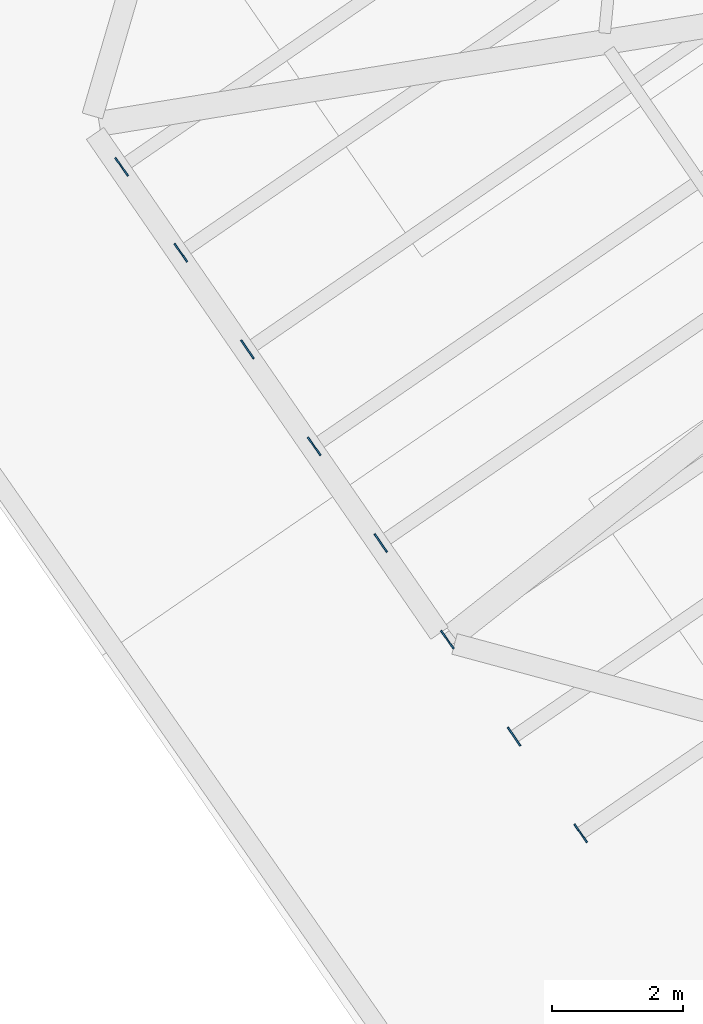
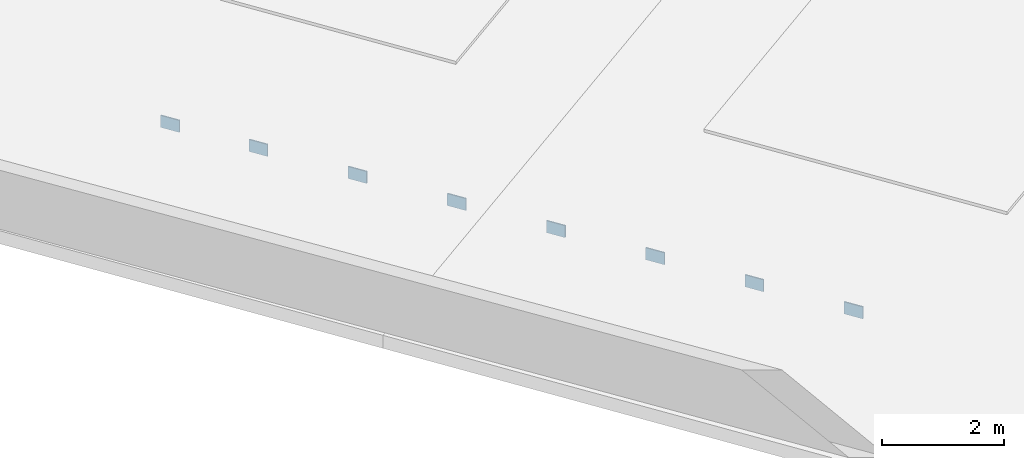
# One storey, part 4 of 7: 8 plates.
"""IFC4 building model written with IfcOpenShell, lengths in metres."""

from ifc_helpers import new_model, si_unit, direction, frame, origin, origin_2d, place, context, subcontext, project, spatial, rectangle, extrude, source, transform, mapped, material, layer, layer_set, type_object, element, save


model = new_model("IFC4")

# Units and contexts
model_context = context("Model", 3, precision=1e-05, world=origin(), true_north=direction((0.0, 1.0)))
body_context = subcontext(model_context, "Body", "Model", "MODEL_VIEW")
ifc_project = project(units=[si_unit("LENGTHUNIT", "METRE"), si_unit("AREAUNIT", "SQUARE_METRE"), si_unit("VOLUMEUNIT", "CUBIC_METRE"), si_unit("PLANEANGLEUNIT", "RADIAN"), si_unit("MASSUNIT", "GRAM", prefix="KILO")], contexts=[model_context])

# Site, building, storey
site_placement = place(None, origin())
site = spatial("IfcSite", under=ifc_project, at=site_placement, CompositionType="ELEMENT")
building_placement = place(site_placement, origin())
building = spatial("IfcBuilding", under=site, at=building_placement, Name="Varnelok Gate Tower", CompositionType="ELEMENT")
storey_placement = place(building_placement, frame((0.0, 0.0, 310.699951171875)))
storey = spatial("IfcBuildingStorey", under=building, at=storey_placement, Name="ROOF", CompositionType="ELEMENT", Elevation=310.699951171875)

# Plates
ifc_material = material(Name="Structural Steel ASTM A572 Grade 50", Category="steel")
ifc_layer = layer(ifc_material, 0.02490234375)
ifc_layer_set = layer_set([ifc_layer], Name="Structural Steel ASTM A572 Grade 50")
plate_type = type_object("IfcPlateType", Name="PLT-ENDCAP-25", PredefinedType="SHEET", material=ifc_layer_set)
shared_shape = source(origin(), body_context, "Body", "SweptSolid", [
    extrude(rectangle(XDim=0.02490234375, YDim=0.340087890625, at=origin_2d()), origin(), (0.0, 0.0, 1.0), 0.239990234375),
])
for number, where, z_axis, x_axis, name in (
    (1, (21.8251953125, 5.560546875, -0.52978515625), (0.0, 0.0, 1.0), (0.823532597628, 0.567268949127, 0.0), "ROOF hollow member sealed end plate 1"),
    (2, (20.80419921875, 7.042724609375, -0.52978515625), (0.0, 0.0, 1.0), (0.823532597628, 0.567268949127, 0.0), "ROOF hollow member sealed end plate 1"),
    (3, (19.783203125, 8.525146484375, -0.52978515625), (0.0, 0.0, 1.0), (0.823532597628, 0.567268949127, 0.0), "ROOF hollow member sealed end plate 1"),
    (4, (18.761962890625, 10.007568359375, -0.52978515625), (0.0, 0.0, 1.0), (0.823532597628, 0.567268949127, 0.0), "ROOF hollow member sealed end plate 1"),
    (5, (17.740966796875, 11.489990234375, -0.52978515625), (0.0, 0.0, 1.0), (0.823532597628, 0.567268949127, 0.0), "ROOF hollow member sealed end plate 1"),
    (6, (16.7197265625, 12.972412109375, -0.52978515625), (0.0, 0.0, 1.0), (0.823532597628, 0.567268949127, 0.0), "ROOF hollow member sealed end plate 1"),
    (7, (15.69873046875, 14.45458984375, -0.52978515625), (0.0, 0.0, 1.0), (0.823532597628, 0.567268949127, 0.0), "ROOF hollow member sealed end plate 1"),
    (8, (14.791015625, 15.772216796875, -0.52978515625), (0.0, 0.0, 1.0), (0.823532597628, 0.567268949127, 0.0), "ROOF hollow member sealed end plate 1"),
):
    element("IfcPlate", number, at=place(storey_placement, frame(where, z_axis=z_axis, x_axis=x_axis)), inside=storey, type_object=plate_type, Name=name, PredefinedType="SHEET", context=body_context, shape_type="MappedRepresentation", body=[
        mapped(shared_shape, transform((0.0, 0.0, 0.0), scale=1.0)),
    ])

save(model, "model.ifc")
